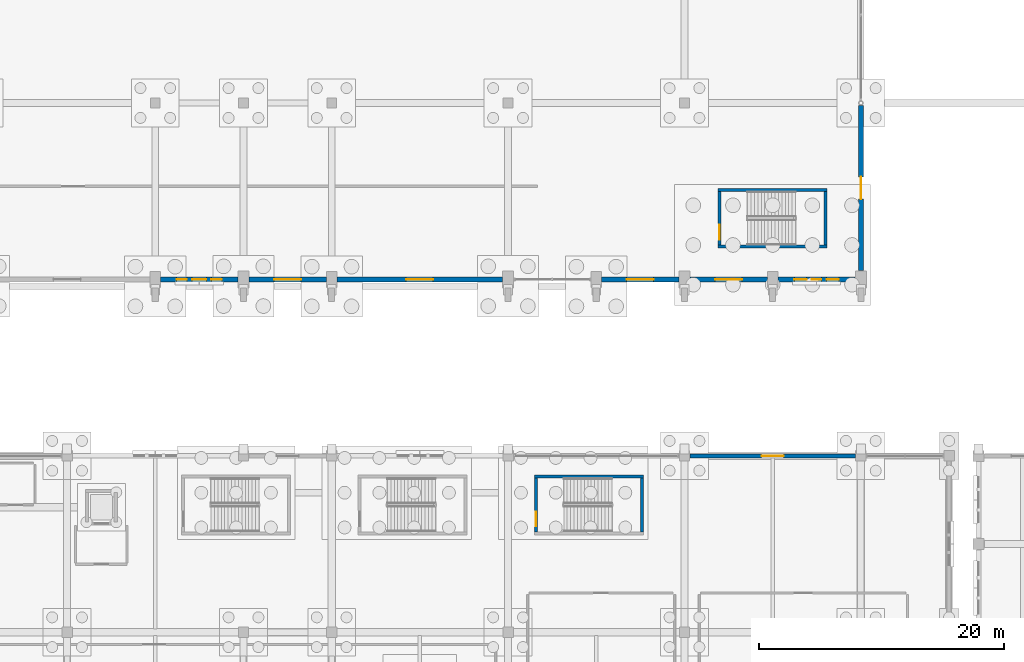
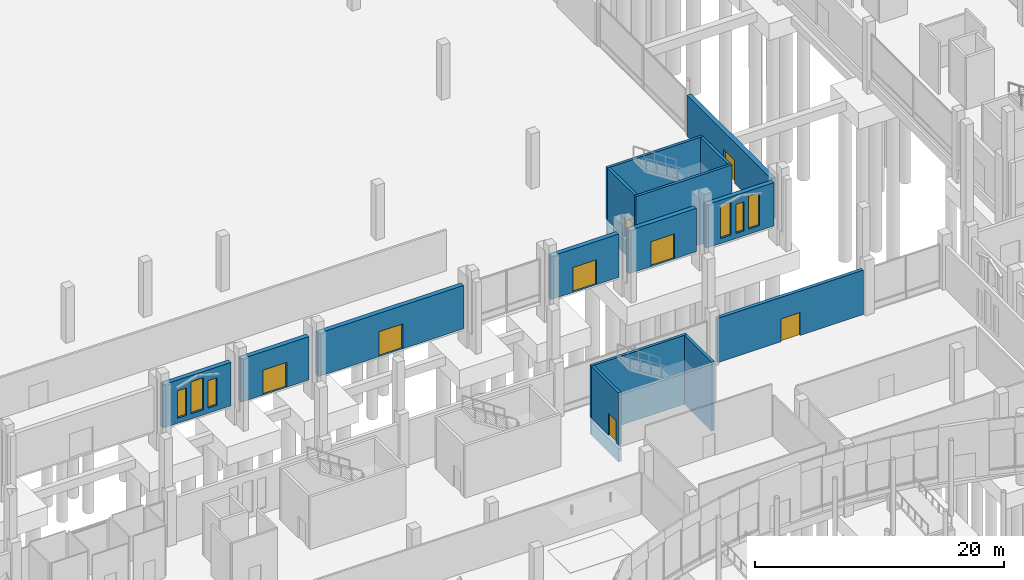
# One storey, part 135 of 192: 17 walls, 8 doors, 6 windows, 14 openings.
"""IFC4 building model written with IfcOpenShell, lengths in metres."""

from ifc_helpers import new_model, si_unit, direction, frame, frame_2d, origin, place, context, subcontext, project, spatial, rectangle, extrude, material, layer, layer_set, type_object, element, fill, save


model = new_model("IFC4")

# Units and contexts
model_context = context("Model", 3, precision=1e-05, world=origin(), true_north=direction((0.0, 1.0)))
body_context = subcontext(model_context, "Body", "Model", "MODEL_VIEW")
ifc_project = project(units=[si_unit("LENGTHUNIT", "METRE"), si_unit("AREAUNIT", "SQUARE_METRE"), si_unit("VOLUMEUNIT", "CUBIC_METRE"), si_unit("PLANEANGLEUNIT", "RADIAN"), si_unit("MASSUNIT", "GRAM", prefix="KILO")], contexts=[model_context])

# Site, building, storey
site_placement = place(None, origin())
site = spatial("IfcSite", under=ifc_project, at=site_placement, CompositionType="ELEMENT")
building_placement = place(site_placement, origin())
building = spatial("IfcBuilding", under=site, at=building_placement, Name="Cendralis Lancet Convention Centre", CompositionType="ELEMENT")
storey_placement = place(building_placement, origin())
storey = spatial("IfcBuildingStorey", under=building, at=storey_placement, Name="L00", CompositionType="ELEMENT", Elevation=0.0)

# Wall, opening, door
ifc_material_1 = material(Name="Buff sandstone ashlar and Concrete G40 (C40/50)", Category="masonry")
ifc_layer_1 = layer(ifc_material_1, 0.320068359375, Name="Buff sandstone ashlar and Concrete G40 (C40/50)")
ifc_layer_set_1 = layer_set([ifc_layer_1], Name="Buff sandstone ashlar and Concrete G40 (C40/50)")
wall_type_1 = type_object("IfcWallType", Name="ARC-EW-W320", PredefinedType="STANDARD", material=ifc_layer_set_1)
wall_1_placement = place(storey_placement, frame((108.43310546875, 36.0, 0.0), z_axis=(0.0, 0.0, 1.0), x_axis=(1.0, 0.0, 0.0)))
wall_1 = element("IfcWall", 1, at=wall_1_placement, inside=storey, type_object=wall_type_1, Name="L00 V4 Exterior Wall EW-06 #0184", PredefinedType="STANDARD", context=body_context, shape_type="SweptSolid", body=[
    extrude(rectangle(XDim=13.533935546875, YDim=0.320068359375, at=frame_2d((6.76708984375, 0.0))), origin(), (0.0, 0.0, 1.0), 4.35498046875),
])
opening_1_placement = place(wall_1_placement, frame((5.866943359375, 0.0, 0.0)))
opening_1 = element("IfcOpeningElement", 2, at=opening_1_placement, cuts=wall_1, Name="Opening EX-D1", PredefinedType="OPENING", context=body_context, shape_type="SweptSolid", body=[
    extrude(rectangle(XDim=1.800048828125, YDim=2.25, at=frame_2d((0.89990234375, 1.125))), frame((0.0, 0.169921875, 0.0), z_axis=(0.0, -1.0, 0.0), x_axis=(1.0, 0.0, 0.0)), (0.0, 0.0, 1.0), 0.340087890625),
])
ifc_material_2 = material(Name="Anodised bronze architectural aluminium", Category="aluminium")
door_type_1 = type_object("IfcDoorType", Name="ARC-DR-EX18", OperationType="NOTDEFINED", PredefinedType="DOOR", material=ifc_material_2)
door_1_placement = place(opening_1_placement, origin())
door_1 = element("IfcDoor", 3, at=door_1_placement, inside=storey, type_object=door_type_1, Name="L00-D045 Pedestrian Final Exit Door EX-47 #047", OperationType="DOUBLE_DOOR_SINGLE_SWING", OverallHeight=2.25, OverallWidth=1.800048828125, PredefinedType="DOOR", context=body_context, shape_type="SweptSolid", body=[
    extrude(rectangle(XDim=1.800048828125, YDim=2.25, at=frame_2d((0.89990234375, 1.125))), frame((0.0, 0.02490234375, 0.0), z_axis=(0.0, -1.0, 0.0), x_axis=(1.0, 0.0, 0.0)), (0.0, 0.0, 1.0), 0.050048828125),
])
fill(opening_1, door_1)

# Wall, openings, windows
ifc_layer_2 = layer(ifc_material_1, 0.419921875, Name="Buff sandstone ashlar and Concrete G40 (C40/50)")
ifc_layer_set_2 = layer_set([ifc_layer_2], Name="Buff sandstone ashlar and Concrete G40 (C40/50)")
wall_type_2 = type_object("IfcWallType", Name="ARC-EW-W420", PredefinedType="STANDARD", material=ifc_layer_set_2)
wall_2_placement = place(storey_placement, frame((71.5419921875, 50.39990234375, 0.0), z_axis=(0.0, 0.0, 1.0), x_axis=(-1.0, 0.0, 0.0)))
wall_2 = element("IfcWall", 4, at=wall_2_placement, inside=storey, type_object=wall_type_2, Name="L00 V1 Exterior Wall EW-01 #0022", PredefinedType="STANDARD", context=body_context, shape_type="SweptSolid", body=[
    extrude(rectangle(XDim=6.30908203125, YDim=0.419921875, at=frame_2d((3.154541015625, 0.0))), origin(), (0.0, 0.0, 1.0), 4.2548828125),
])
opening_2_placement = place(wall_2_placement, frame((1.314453125, 0.0, 0.5)))
opening_2 = element("IfcOpeningElement", 5, at=opening_2_placement, cuts=wall_2, Name="Opening WN-15", PredefinedType="OPENING", context=body_context, shape_type="SweptSolid", body=[
    extrude(rectangle(XDim=0.840087890625, YDim=2.699951171875, at=frame_2d((0.419921875, 1.35009765625))), frame((0.0, 0.219970703125, 0.0), z_axis=(0.0, -1.0, 0.0), x_axis=(1.0, 0.0, 0.0)), (0.0, 0.0, 1.0), 0.43994140625),
])
opening_3_placement = place(wall_2_placement, frame((2.574462890625, 0.0, 0.5)))
opening_3 = element("IfcOpeningElement", 6, at=opening_3_placement, cuts=wall_2, Name="Opening WN-13", PredefinedType="OPENING", context=body_context, shape_type="SweptSolid", body=[
    extrude(rectangle(XDim=1.159912109375, YDim=3.14990234375, at=frame_2d((0.580078125, 1.574951171875))), frame((0.0, 0.219970703125, 0.0), z_axis=(0.0, -1.0, 0.0), x_axis=(1.0, 0.0, 0.0)), (0.0, 0.0, 1.0), 0.43994140625),
])
opening_4_placement = place(wall_2_placement, frame((4.154541015625, 0.0, 0.5)))
opening_4 = element("IfcOpeningElement", 7, at=opening_4_placement, cuts=wall_2, Name="Opening WN-15", PredefinedType="OPENING", context=body_context, shape_type="SweptSolid", body=[
    extrude(rectangle(XDim=0.840087890625, YDim=2.699951171875, at=frame_2d((0.419921875, 1.35009765625))), frame((0.0, 0.219970703125, 0.0), z_axis=(0.0, -1.0, 0.0), x_axis=(1.0, 0.0, 0.0)), (0.0, 0.0, 1.0), 0.43994140625),
])
ifc_material_3 = material(Name="Double-glazed low-E solar-control glass", Category="glass")
window_type_1 = type_object("IfcWindowType", Name="ARC-WN-LW13", PartitioningType="SINGLE_PANEL", PredefinedType="WINDOW", material=ifc_material_3)
window_1_placement = place(opening_3_placement, origin())
window_1 = element("IfcWindow", 8, at=window_1_placement, inside=storey, type_object=window_type_1, Name="Gothic Lancet Window WN-13 #0023", OverallHeight=3.14990234375, OverallWidth=1.159912109375, PartitioningType="SINGLE_PANEL", PredefinedType="WINDOW", context=body_context, shape_type="SweptSolid", body=[
    extrude(rectangle(XDim=1.159912109375, YDim=3.14990234375, at=frame_2d((0.580078125, 1.574951171875))), frame((0.0, 0.030029296875, 0.0), z_axis=(0.0, -1.0, 0.0), x_axis=(1.0, 0.0, 0.0)), (0.0, 0.0, 1.0), 0.06005859375),
])
fill(opening_3, window_1)
window_type_2 = type_object("IfcWindowType", Name="ARC-WN-LW15", PartitioningType="SINGLE_PANEL", PredefinedType="WINDOW", material=ifc_material_3)
window_2_placement = place(opening_2_placement, origin())
window_2 = element("IfcWindow", 9, at=window_2_placement, inside=storey, type_object=window_type_2, Name="Gothic Lancet Window WN-15 #0022", OverallHeight=2.699951171875, OverallWidth=0.840087890625, PartitioningType="SINGLE_PANEL", PredefinedType="WINDOW", context=body_context, shape_type="SweptSolid", body=[
    extrude(rectangle(XDim=0.840087890625, YDim=2.699951171875, at=frame_2d((0.419921875, 1.35009765625))), frame((0.0, 0.030029296875, 0.0), z_axis=(0.0, -1.0, 0.0), x_axis=(1.0, 0.0, 0.0)), (0.0, 0.0, 1.0), 0.06005859375),
])
fill(opening_2, window_2)
window_3_placement = place(opening_4_placement, origin())
window_3 = element("IfcWindow", 10, at=window_3_placement, inside=storey, type_object=window_type_2, Name="Gothic Lancet Window WN-15 #0024", OverallHeight=2.699951171875, OverallWidth=0.840087890625, PartitioningType="SINGLE_PANEL", PredefinedType="WINDOW", context=body_context, shape_type="SweptSolid", body=[
    extrude(rectangle(XDim=0.840087890625, YDim=2.699951171875, at=frame_2d((0.419921875, 1.35009765625))), frame((0.0, 0.030029296875, 0.0), z_axis=(0.0, -1.0, 0.0), x_axis=(1.0, 0.0, 0.0)), (0.0, 0.0, 1.0), 0.06005859375),
])
fill(opening_4, window_3)

# Wall, opening, door
wall_3_placement = place(storey_placement, frame((78.76708984375, 50.39990234375, 0.0), z_axis=(0.0, 0.0, 1.0), x_axis=(-1.0, 0.0, 0.0)))
wall_3 = element("IfcWall", 11, at=wall_3_placement, inside=storey, type_object=wall_type_2, Name="L00 V1 Exterior Wall EW-01 #0023", PredefinedType="STANDARD", context=body_context, shape_type="SweptSolid", body=[
    extrude(rectangle(XDim=6.30908203125, YDim=0.419921875, at=frame_2d((3.154541015625, 0.0))), origin(), (0.0, 0.0, 1.0), 4.2548828125),
])
opening_5_placement = place(wall_3_placement, frame((2.054443359375, 0.0, 0.0)))
opening_5 = element("IfcOpeningElement", 12, at=opening_5_placement, cuts=wall_3, Name="Opening EX-D4", PredefinedType="OPENING", context=body_context, shape_type="SweptSolid", body=[
    extrude(rectangle(XDim=2.199951171875, YDim=2.449951171875, at=frame_2d((1.10009765625, 1.22509765625))), frame((0.0, 0.219970703125, 0.0), z_axis=(0.0, -1.0, 0.0), x_axis=(1.0, 0.0, 0.0)), (0.0, 0.0, 1.0), 0.43994140625),
])
door_type_2 = type_object("IfcDoorType", Name="ARC-DR-EX22", OperationType="NOTDEFINED", PredefinedType="DOOR", material=ifc_material_2)
door_2_placement = place(opening_5_placement, origin())
door_2 = element("IfcDoor", 13, at=door_2_placement, inside=storey, type_object=door_type_2, Name="L00-D018 Pedestrian Final Exit Door EX-18 #018", OperationType="DOUBLE_DOOR_SINGLE_SWING", OverallHeight=2.449951171875, OverallWidth=2.199951171875, PredefinedType="DOOR", context=body_context, shape_type="SweptSolid", body=[
    extrude(rectangle(XDim=2.199951171875, YDim=2.449951171875, at=frame_2d((1.10009765625, 1.22509765625))), frame((0.0, 0.02490234375, 0.0), z_axis=(0.0, -1.0, 0.0), x_axis=(1.0, 0.0, 0.0)), (0.0, 0.0, 1.0), 0.050048828125),
])
fill(opening_5, door_2)

wall_4_placement = place(storey_placement, frame((93.14208984375, 50.39990234375, 0.0), z_axis=(0.0, 0.0, 1.0), x_axis=(-1.0, 0.0, 0.0)))
wall_4 = element("IfcWall", 14, at=wall_4_placement, inside=storey, type_object=wall_type_2, Name="L00 V1 Exterior Wall EW-01 #0024", PredefinedType="STANDARD", context=body_context, shape_type="SweptSolid", body=[
    extrude(rectangle(XDim=13.509033203125, YDim=0.419921875, at=frame_2d((6.75439453125, 0.0))), origin(), (0.0, 0.0, 1.0), 4.2548828125),
])
opening_6_placement = place(wall_4_placement, frame((5.654541015625, 0.0, 0.0)))
opening_6 = element("IfcOpeningElement", 15, at=opening_6_placement, cuts=wall_4, Name="Opening EX-D4", PredefinedType="OPENING", context=body_context, shape_type="SweptSolid", body=[
    extrude(rectangle(XDim=2.199951171875, YDim=2.449951171875, at=frame_2d((1.10009765625, 1.22509765625))), frame((0.0, 0.219970703125, 0.0), z_axis=(0.0, -1.0, 0.0), x_axis=(1.0, 0.0, 0.0)), (0.0, 0.0, 1.0), 0.43994140625),
])
door_3_placement = place(opening_6_placement, origin())
door_3 = element("IfcDoor", 16, at=door_3_placement, inside=storey, type_object=door_type_2, Name="L00-D019 Pedestrian Final Exit Door EX-19 #019", OperationType="DOUBLE_DOOR_SINGLE_SWING", OverallHeight=2.449951171875, OverallWidth=2.199951171875, PredefinedType="DOOR", context=body_context, shape_type="SweptSolid", body=[
    extrude(rectangle(XDim=2.199951171875, YDim=2.449951171875, at=frame_2d((1.10009765625, 1.22509765625))), frame((0.0, 0.02490234375, 0.0), z_axis=(0.0, -1.0, 0.0), x_axis=(1.0, 0.0, 0.0)), (0.0, 0.0, 1.0), 0.050048828125),
])
fill(opening_6, door_3)

wall_5_placement = place(storey_placement, frame((107.5419921875, 50.39990234375, 0.0), z_axis=(0.0, 0.0, 1.0), x_axis=(-1.0, 0.0, 0.0)))
wall_5 = element("IfcWall", 17, at=wall_5_placement, inside=storey, type_object=wall_type_2, Name="L00 V1 Exterior Wall EW-01 #0025", PredefinedType="STANDARD", context=body_context, shape_type="SweptSolid", body=[
    extrude(rectangle(XDim=6.30908203125, YDim=0.419921875, at=frame_2d((3.154541015625, 0.0))), origin(), (0.0, 0.0, 1.0), 4.2548828125),
])
opening_7_placement = place(wall_5_placement, frame((2.054443359375, 0.0, 0.0)))
opening_7 = element("IfcOpeningElement", 18, at=opening_7_placement, cuts=wall_5, Name="Opening EX-D4", PredefinedType="OPENING", context=body_context, shape_type="SweptSolid", body=[
    extrude(rectangle(XDim=2.199951171875, YDim=2.449951171875, at=frame_2d((1.10009765625, 1.22509765625))), frame((0.0, 0.219970703125, 0.0), z_axis=(0.0, -1.0, 0.0), x_axis=(1.0, 0.0, 0.0)), (0.0, 0.0, 1.0), 0.43994140625),
])
door_4_placement = place(opening_7_placement, origin())
door_4 = element("IfcDoor", 19, at=door_4_placement, inside=storey, type_object=door_type_2, Name="L00-D020 Pedestrian Final Exit Door EX-20 #020", OperationType="DOUBLE_DOOR_SINGLE_SWING", OverallHeight=2.449951171875, OverallWidth=2.199951171875, PredefinedType="DOOR", context=body_context, shape_type="SweptSolid", body=[
    extrude(rectangle(XDim=2.199951171875, YDim=2.449951171875, at=frame_2d((1.10009765625, 1.22509765625))), frame((0.0, 0.02490234375, 0.0), z_axis=(0.0, -1.0, 0.0), x_axis=(1.0, 0.0, 0.0)), (0.0, 0.0, 1.0), 0.050048828125),
])
fill(opening_7, door_4)

wall_6_placement = place(storey_placement, frame((114.76708984375, 50.39990234375, 0.0), z_axis=(0.0, 0.0, 1.0), x_axis=(-1.0, 0.0, 0.0)))
wall_6 = element("IfcWall", 20, at=wall_6_placement, inside=storey, type_object=wall_type_2, Name="L00 V1 Exterior Wall EW-01 #0026", PredefinedType="STANDARD", context=body_context, shape_type="SweptSolid", body=[
    extrude(rectangle(XDim=6.30908203125, YDim=0.419921875, at=frame_2d((3.154541015625, 0.0))), origin(), (0.0, 0.0, 1.0), 4.2548828125),
])
opening_8_placement = place(wall_6_placement, frame((2.054443359375, 0.0, 0.0)))
opening_8 = element("IfcOpeningElement", 21, at=opening_8_placement, cuts=wall_6, Name="Opening EX-D4", PredefinedType="OPENING", context=body_context, shape_type="SweptSolid", body=[
    extrude(rectangle(XDim=2.199951171875, YDim=2.449951171875, at=frame_2d((1.10009765625, 1.22509765625))), frame((0.0, 0.219970703125, 0.0), z_axis=(0.0, -1.0, 0.0), x_axis=(1.0, 0.0, 0.0)), (0.0, 0.0, 1.0), 0.43994140625),
])
door_5_placement = place(opening_8_placement, origin())
door_5 = element("IfcDoor", 22, at=door_5_placement, inside=storey, type_object=door_type_2, Name="L00-D021 Pedestrian Final Exit Door EX-21 #021", OperationType="DOUBLE_DOOR_SINGLE_SWING", OverallHeight=2.449951171875, OverallWidth=2.199951171875, PredefinedType="DOOR", context=body_context, shape_type="SweptSolid", body=[
    extrude(rectangle(XDim=2.199951171875, YDim=2.449951171875, at=frame_2d((1.10009765625, 1.22509765625))), frame((0.0, 0.02490234375, 0.0), z_axis=(0.0, -1.0, 0.0), x_axis=(1.0, 0.0, 0.0)), (0.0, 0.0, 1.0), 0.050048828125),
])
fill(opening_8, door_5)

# Wall, openings, windows
wall_7_placement = place(storey_placement, frame((121.94189453125, 50.39990234375, 0.0), z_axis=(0.0, 0.0, 1.0), x_axis=(-1.0, 0.0, 0.0)))
wall_7 = element("IfcWall", 23, at=wall_7_placement, inside=storey, type_object=wall_type_2, Name="L00 V1 Exterior Wall EW-01 #0027", PredefinedType="STANDARD", context=body_context, shape_type="SweptSolid", body=[
    extrude(rectangle(XDim=6.308837890625, YDim=0.419921875, at=frame_2d((3.154296875, 0.0))), origin(), (0.0, 0.0, 1.0), 4.2548828125),
])
opening_9_placement = place(wall_7_placement, frame((1.344482421875, 0.0, 0.5)))
opening_9 = element("IfcOpeningElement", 24, at=opening_9_placement, cuts=wall_7, Name="Opening WN-10", PredefinedType="OPENING", context=body_context, shape_type="SweptSolid", body=[
    extrude(rectangle(XDim=1.0, YDim=3.25, at=frame_2d((0.5, 1.625))), frame((0.0, 0.219970703125, 0.0), z_axis=(0.0, -1.0, 0.0), x_axis=(1.0, 0.0, 0.0)), (0.0, 0.0, 1.0), 0.43994140625),
])
opening_10_placement = place(wall_7_placement, frame((2.764404296875, 0.0, 0.5)))
opening_10 = element("IfcOpeningElement", 25, at=opening_10_placement, cuts=wall_7, Name="Opening WN-01", PredefinedType="OPENING", context=body_context, shape_type="SweptSolid", body=[
    extrude(rectangle(XDim=0.780029296875, YDim=2.85009765625, at=frame_2d((0.39013671875, 1.425048828125))), frame((0.0, 0.219970703125, 0.0), z_axis=(0.0, -1.0, 0.0), x_axis=(1.0, 0.0, 0.0)), (0.0, 0.0, 1.0), 0.43994140625),
])
opening_11_placement = place(wall_7_placement, frame((3.964599609375, 0.0, 0.5)))
opening_11 = element("IfcOpeningElement", 26, at=opening_11_placement, cuts=wall_7, Name="Opening WN-10", PredefinedType="OPENING", context=body_context, shape_type="SweptSolid", body=[
    extrude(rectangle(XDim=1.0, YDim=3.25, at=frame_2d((0.5, 1.625))), frame((0.0, 0.219970703125, 0.0), z_axis=(0.0, -1.0, 0.0), x_axis=(1.0, 0.0, 0.0)), (0.0, 0.0, 1.0), 0.43994140625),
])
window_type_3 = type_object("IfcWindowType", Name="ARC-WN-LW01", PartitioningType="SINGLE_PANEL", PredefinedType="WINDOW", material=ifc_material_3)
window_4_placement = place(opening_10_placement, origin())
window_4 = element("IfcWindow", 27, at=window_4_placement, inside=storey, type_object=window_type_3, Name="Gothic Lancet Window WN-01 #0026", OverallHeight=2.85009765625, OverallWidth=0.780029296875, PartitioningType="SINGLE_PANEL", PredefinedType="WINDOW", context=body_context, shape_type="SweptSolid", body=[
    extrude(rectangle(XDim=0.780029296875, YDim=2.85009765625, at=frame_2d((0.39013671875, 1.425048828125))), frame((0.0, 0.030029296875, 0.0), z_axis=(0.0, -1.0, 0.0), x_axis=(1.0, 0.0, 0.0)), (0.0, 0.0, 1.0), 0.06005859375),
])
fill(opening_10, window_4)
window_type_4 = type_object("IfcWindowType", Name="ARC-WN-LW10", PartitioningType="SINGLE_PANEL", PredefinedType="WINDOW", material=ifc_material_3)
window_5_placement = place(opening_9_placement, origin())
window_5 = element("IfcWindow", 28, at=window_5_placement, inside=storey, type_object=window_type_4, Name="Gothic Lancet Window WN-10 #0025", OverallHeight=3.25, OverallWidth=1.0, PartitioningType="SINGLE_PANEL", PredefinedType="WINDOW", context=body_context, shape_type="SweptSolid", body=[
    extrude(rectangle(XDim=1.0, YDim=3.25, at=frame_2d((0.5, 1.625))), frame((0.0, 0.030029296875, 0.0), z_axis=(0.0, -1.0, 0.0), x_axis=(1.0, 0.0, 0.0)), (0.0, 0.0, 1.0), 0.06005859375),
])
fill(opening_9, window_5)
window_6_placement = place(opening_11_placement, origin())
window_6 = element("IfcWindow", 29, at=window_6_placement, inside=storey, type_object=window_type_4, Name="Gothic Lancet Window WN-10 #0027", OverallHeight=3.25, OverallWidth=1.0, PartitioningType="SINGLE_PANEL", PredefinedType="WINDOW", context=body_context, shape_type="SweptSolid", body=[
    extrude(rectangle(XDim=1.0, YDim=3.25, at=frame_2d((0.5, 1.625))), frame((0.0, 0.030029296875, 0.0), z_axis=(0.0, -1.0, 0.0), x_axis=(1.0, 0.0, 0.0)), (0.0, 0.0, 1.0), 0.06005859375),
])
fill(opening_11, window_6)

# Wall, opening, door
wall_8_placement = place(storey_placement, frame((122.39990234375, 64.6142578125, 0.0), z_axis=(0.0, 0.0, 1.0), x_axis=(0.0, -1.0, 0.0)))
wall_8 = element("IfcWall", 30, at=wall_8_placement, inside=storey, type_object=wall_type_2, Name="L00 V1 Exterior Wall EW-01 #0032", PredefinedType="STANDARD", context=body_context, shape_type="SweptSolid", body=[
    extrude(rectangle(XDim=13.50634765625, YDim=0.419921875, at=frame_2d((6.753173828125, 0.0))), origin(), (0.0, 0.0, 1.0), 4.0048828125),
])
opening_12_placement = place(wall_8_placement, frame((5.85302734375, 0.0, 0.0)))
opening_12 = element("IfcOpeningElement", 31, at=opening_12_placement, cuts=wall_8, Name="Opening EX-D1", PredefinedType="OPENING", context=body_context, shape_type="SweptSolid", body=[
    extrude(rectangle(XDim=1.800048828125, YDim=2.25, at=frame_2d((0.89990234375, 1.125))), frame((0.0, 0.219970703125, 0.0), z_axis=(0.0, -1.0, 0.0), x_axis=(1.0, 0.0, 0.0)), (0.0, 0.0, 1.0), 0.43994140625),
])
door_6_placement = place(opening_12_placement, origin())
door_6 = element("IfcDoor", 32, at=door_6_placement, inside=storey, type_object=door_type_1, Name="L00-D024 Pedestrian Final Exit Door EX-24 #024", OperationType="DOUBLE_DOOR_SINGLE_SWING", OverallHeight=2.25, OverallWidth=1.800048828125, PredefinedType="DOOR", context=body_context, shape_type="SweptSolid", body=[
    extrude(rectangle(XDim=1.800048828125, YDim=2.25, at=frame_2d((0.89990234375, 1.125))), frame((0.0, 0.02490234375, 0.0), z_axis=(0.0, -1.0, 0.0), x_axis=(1.0, 0.0, 0.0)), (0.0, 0.0, 1.0), 0.050048828125),
])
fill(opening_12, door_6)

# Wall
ifc_material_4 = material(Name="Concrete G40 (C40/50)", Category="concrete")
ifc_layer_3 = layer(ifc_material_4, 0.25, Name="Concrete G40 (C40/50)")
ifc_layer_set_3 = layer_set([ifc_layer_3], Name="Concrete G40 (C40/50)")
wall_type_3 = type_object("IfcWallType", Name="STR-SW-CW250", PredefinedType="SHEAR", material=ifc_layer_set_3)
wall_9_placement = place(storey_placement, frame((110.875, 53.199951171875, -1.64990234375), z_axis=(0.0, 0.0, 1.0), x_axis=(0.0, 1.0, 0.0)))
element("IfcWall", 33, at=wall_9_placement, inside=storey, type_object=wall_type_3, Name="L00 Stair Core ST-03 West Base Stem", PredefinedType="SHEAR", context=body_context, shape_type="SweptSolid", body=[
    extrude(rectangle(XDim=4.380126953125, YDim=0.25, at=frame_2d((2.18994140625, 0.0))), origin(), (0.0, 0.0, 1.0), 1.309814453125),
])

# Wall, opening, door
wall_10_placement = place(storey_placement, frame((110.875, 53.199951171875, 0.0), z_axis=(0.0, 0.0, 1.0), x_axis=(0.0, 1.0, 0.0)))
wall_10 = element("IfcWall", 34, at=wall_10_placement, inside=storey, type_object=wall_type_3, Name="L00 Stair Core ST-03 West Shear Wall", PredefinedType="SHEAR", context=body_context, shape_type="SweptSolid", body=[
    extrude(rectangle(XDim=4.380126953125, YDim=0.25, at=frame_2d((2.18994140625, 0.0))), origin(), (0.0, 0.0, 1.0), 5.1201171875),
])
opening_13_placement = place(wall_10_placement, frame((0.449951171875, 0.0, 0.0)))
opening_13 = element("IfcOpeningElement", 35, at=opening_13_placement, cuts=wall_10, Name="Opening SD-12", PredefinedType="OPENING", context=body_context, shape_type="SweptSolid", body=[
    extrude(rectangle(XDim=1.199951171875, YDim=2.14990234375, at=frame_2d((0.60009765625, 1.074951171875))), frame((0.0, 0.135009765625, 0.0), z_axis=(0.0, -1.0, 0.0), x_axis=(1.0, 0.0, 0.0)), (0.0, 0.0, 1.0), 0.27001953125),
])
ifc_material_5 = material(Name="Steel S355", Category="steel")
door_type_3 = type_object("IfcDoorType", Name="ARC-DR-ST12", OperationType="NOTDEFINED", PredefinedType="DOOR", material=ifc_material_5)
door_7_placement = place(opening_13_placement, origin())
door_7 = element("IfcDoor", 36, at=door_7_placement, inside=storey, type_object=door_type_3, Name="L00-D120 L00 Exit Stair ST-03 Fire Door", OperationType="SINGLE_SWING_RIGHT", OverallHeight=2.14990234375, OverallWidth=1.199951171875, PredefinedType="DOOR", context=body_context, shape_type="SweptSolid", body=[
    extrude(rectangle(XDim=1.199951171875, YDim=2.14990234375, at=frame_2d((0.60009765625, 1.074951171875))), frame((0.0, 0.02490234375, 0.0), z_axis=(0.0, -1.0, 0.0), x_axis=(1.0, 0.0, 0.0)), (0.0, 0.0, 1.0), 0.050048828125),
])
fill(opening_13, door_7)

# Walls
wall_11_placement = place(storey_placement, frame((119.52490234375, 53.199951171875, -1.64990234375), z_axis=(0.0, 0.0, 1.0), x_axis=(0.0, 1.0, 0.0)))
element("IfcWall", 37, at=wall_11_placement, inside=storey, type_object=wall_type_3, Name="L00 Stair Core ST-03 East Shear Wall", PredefinedType="SHEAR", context=body_context, shape_type="SweptSolid", body=[
    extrude(rectangle(XDim=4.380126953125, YDim=0.25, at=frame_2d((2.18994140625, 0.0))), origin(), (0.0, 0.0, 1.0), 6.77001953125),
])
for number, where, z_axis, x_axis, name in (
    (38, (110.75, 53.074951171875, -1.64990234375), (0.0, 0.0, 1.0), (1.0, 0.0, 0.0), "L00 Stair Core ST-03 South Shear Wall"),
    (39, (110.75, 57.705078125, -1.64990234375), (0.0, 0.0, 1.0), (1.0, 0.0, 0.0), "L00 Stair Core ST-03 North Shear Wall"),
):
    element("IfcWall", number, at=place(storey_placement, frame(where, z_axis=z_axis, x_axis=x_axis)), inside=storey, type_object=wall_type_3, Name=name, PredefinedType="SHEAR", context=body_context, shape_type="SweptSolid", body=[
        extrude(rectangle(XDim=8.89990234375, YDim=0.25, at=frame_2d((4.449951171875, 0.0))), origin(), (0.0, 0.0, 1.0), 6.77001953125),
    ])
wall_12_placement = place(storey_placement, frame((95.875, 29.800048828125, -1.64990234375), z_axis=(0.0, 0.0, 1.0), x_axis=(0.0, 1.0, 0.0)))
element("IfcWall", 40, at=wall_12_placement, inside=storey, type_object=wall_type_3, Name="L00 Stair Core ST-18 West Base Stem", PredefinedType="SHEAR", context=body_context, shape_type="SweptSolid", body=[
    extrude(rectangle(XDim=4.3798828125, YDim=0.25, at=frame_2d((2.18994140625, 0.0))), origin(), (0.0, 0.0, 1.0), 1.309814453125),
])

# Wall, opening, door
wall_13_placement = place(storey_placement, frame((95.875, 29.800048828125, 0.0), z_axis=(0.0, 0.0, 1.0), x_axis=(0.0, 1.0, 0.0)))
wall_13 = element("IfcWall", 41, at=wall_13_placement, inside=storey, type_object=wall_type_3, Name="L00 Stair Core ST-18 West Shear Wall", PredefinedType="SHEAR", context=body_context, shape_type="SweptSolid", body=[
    extrude(rectangle(XDim=4.3798828125, YDim=0.25, at=frame_2d((2.18994140625, 0.0))), origin(), (0.0, 0.0, 1.0), 5.1201171875),
])
opening_14_placement = place(wall_13_placement, frame((0.449951171875, 0.0, 0.0)))
opening_14 = element("IfcOpeningElement", 42, at=opening_14_placement, cuts=wall_13, Name="Opening SD-12", PredefinedType="OPENING", context=body_context, shape_type="SweptSolid", body=[
    extrude(rectangle(XDim=1.199951171875, YDim=2.14990234375, at=frame_2d((0.60009765625, 1.074951171875))), frame((0.0, 0.135009765625, 0.0), z_axis=(0.0, -1.0, 0.0), x_axis=(1.0, 0.0, 0.0)), (0.0, 0.0, 1.0), 0.27001953125),
])
door_8_placement = place(opening_14_placement, origin())
door_8 = element("IfcDoor", 43, at=door_8_placement, inside=storey, type_object=door_type_3, Name="L00-D135 L00 Exit Stair ST-18 Fire Door", OperationType="SINGLE_SWING_LEFT", OverallHeight=2.14990234375, OverallWidth=1.199951171875, PredefinedType="DOOR", context=body_context, shape_type="SweptSolid", body=[
    extrude(rectangle(XDim=1.199951171875, YDim=2.14990234375, at=frame_2d((0.60009765625, 1.074951171875))), frame((0.0, 0.02490234375, 0.0), z_axis=(0.0, -1.0, 0.0), x_axis=(1.0, 0.0, 0.0)), (0.0, 0.0, 1.0), 0.050048828125),
])
fill(opening_14, door_8)

# Walls
wall_14_placement = place(storey_placement, frame((104.52490234375, 29.800048828125, -1.64990234375), z_axis=(0.0, 0.0, 1.0), x_axis=(0.0, 1.0, 0.0)))
element("IfcWall", 44, at=wall_14_placement, inside=storey, type_object=wall_type_3, Name="L00 Stair Core ST-18 East Shear Wall", PredefinedType="SHEAR", context=body_context, shape_type="SweptSolid", body=[
    extrude(rectangle(XDim=4.3798828125, YDim=0.25, at=frame_2d((2.18994140625, 0.0))), origin(), (0.0, 0.0, 1.0), 6.77001953125),
])
wall_15_placement = place(storey_placement, frame((95.75, 34.304931640625, -1.64990234375), z_axis=(0.0, 0.0, 1.0), x_axis=(1.0, 0.0, 0.0)))
element("IfcWall", 45, at=wall_15_placement, inside=storey, type_object=wall_type_3, Name="L00 Stair Core ST-18 North Shear Wall", PredefinedType="SHEAR", context=body_context, shape_type="SweptSolid", body=[
    extrude(rectangle(XDim=8.89990234375, YDim=0.25, at=frame_2d((4.449951171875, 0.0))), origin(), (0.0, 0.0, 1.0), 6.77001953125),
])

save(model, "model.ifc")
